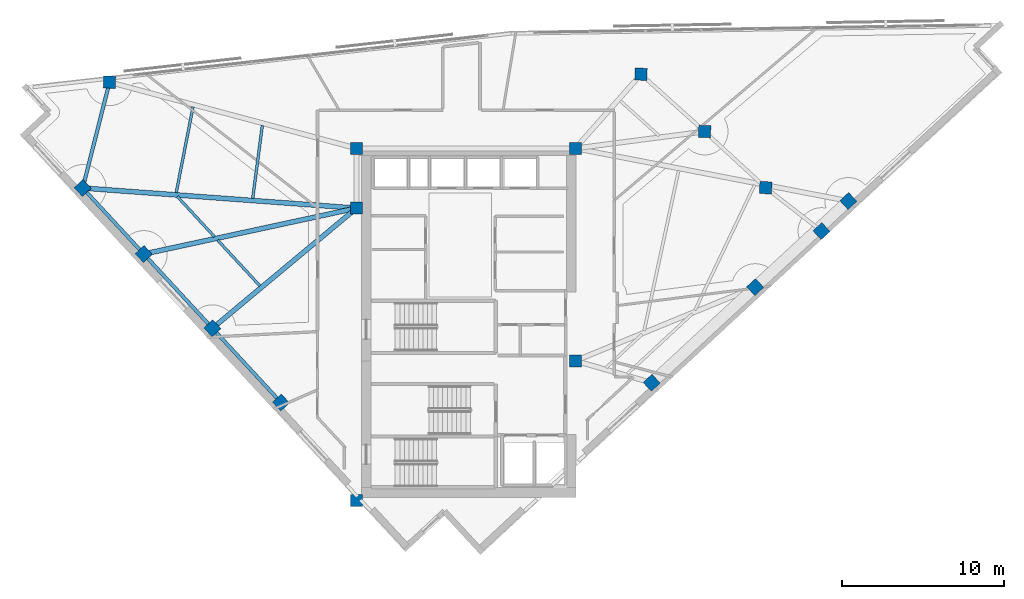
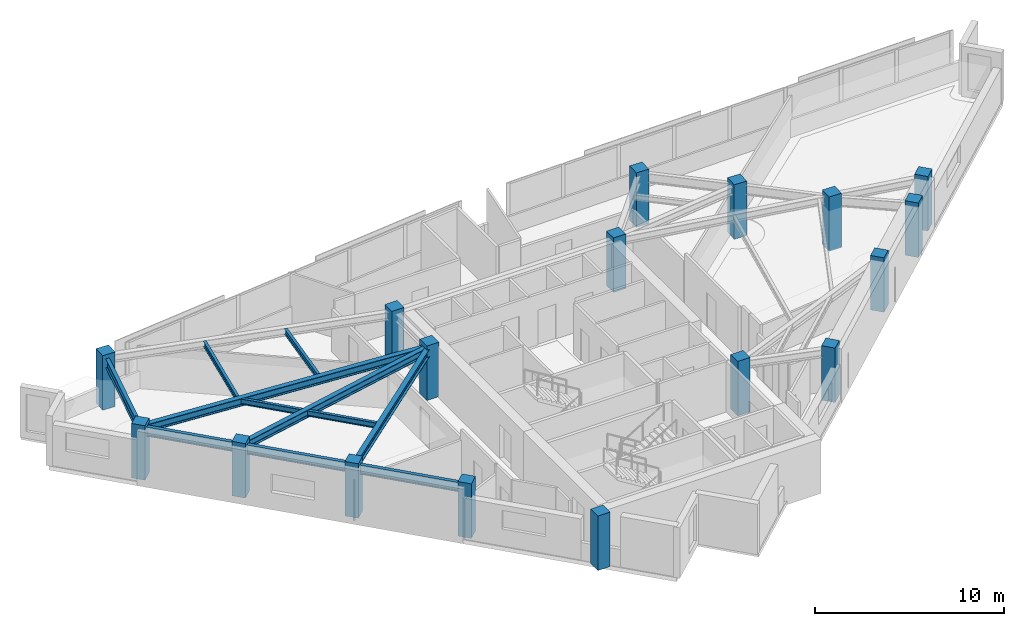
# One storey, part 1 of 13: 17 columns, 11 beams.
"""IFC4 building model written with IfcOpenShell, lengths in metres."""

import ifcopenshell
import ifcopenshell.guid

model = None  # the IFC model being written
_history = None  # IfcOwnerHistory: only IFC2X3 demands one
_inside = {}  # id of a spatial element -> (the spatial element, [elements in it])
_under = {}  # id of a project, library or spatial element -> (it, [spatial elements below it])
_declared = {}  # id of a project -> (the project, [libraries it declares])
_typed = {}  # id of a type object -> (the type object, [elements of that type])
_made_of = {}  # id of a material, layer set ... -> (it, [elements and type objects made of it])


def new_model(schema):
    """Start an empty IFC model of exactly this schema.

    Asked for "IFC4X3", IfcOpenShell would pick the latest addendum, in which some entities
    have other attributes; the version numbers below select the first issue.
    IFC2X3 requires an IfcOwnerHistory on every rooted entity: one is made here for all.
    """
    global model, _history
    if schema == "IFC4X3":
        model = ifcopenshell.file(schema_version=(4, 3, 0, 0))
    else:
        model = ifcopenshell.file(schema=schema)
    _inside.clear()
    _under.clear()
    _declared.clear()
    _typed.clear()
    _made_of.clear()
    _history = None
    if model.schema == "IFC2X3":
        org = make("IfcOrganization", Name="unknown")
        user = make(
            "IfcPersonAndOrganization",
            ThePerson=make("IfcPerson", FamilyName="unknown"),
            TheOrganization=org,
        )
        app = make(
            "IfcApplication",
            ApplicationDeveloper=org,
            Version="unknown",
            ApplicationFullName="unknown",
            ApplicationIdentifier="unknown",
        )
        _history = make(
            "IfcOwnerHistory",
            OwningUser=user,
            OwningApplication=app,
            ChangeAction="ADDED",
            CreationDate=0,
        )
    return model


def make(cls, **values):
    """One entity of the class cls with the attributes given. An attribute that is None is left unset."""
    return model.create_entity(
        cls, **{name: value for name, value in values.items() if value is not None}
    )


def rooted(cls, **values):
    """An entity with a GlobalId (a new one), such as an element, a storey or a relation."""
    return make(cls, GlobalId=ifcopenshell.guid.new(), OwnerHistory=_history, **values)


def si_unit(unit_type, name, prefix=None):
    """IfcSIUnit, for example si_unit("LENGTHUNIT", "METRE", prefix="MILLI")."""
    return make("IfcSIUnit", UnitType=unit_type, Prefix=prefix, Name=name)


def assignment(units):
    """IfcUnitAssignment: the units of a project."""
    return None if units is None else make("IfcUnitAssignment", Units=units)


def point(xyz):
    """IfcCartesianPoint."""
    return None if xyz is None else make("IfcCartesianPoint", Coordinates=xyz)


def direction(xyz):
    """IfcDirection."""
    return None if xyz is None else make("IfcDirection", DirectionRatios=xyz)


def frame(location, z_axis=None, x_axis=None):
    """IfcAxis2Placement3D, a coordinate frame: its origin and axes. An axis left out is left unset."""
    return make(
        "IfcAxis2Placement3D",
        Location=point(location),
        Axis=direction(z_axis),
        RefDirection=direction(x_axis),
    )


def frame_2d(location, x_axis=None):
    """IfcAxis2Placement2D, a coordinate frame in the plane: its origin and x axis."""
    return make(
        "IfcAxis2Placement2D", Location=point(location), RefDirection=direction(x_axis)
    )


def origin():
    """The frame at (0, 0, 0) with its axes left unset."""
    return frame((0.0, 0.0, 0.0))


def origin_2d():
    """The frame at (0, 0) in the plane with its x axis left unset."""
    return frame_2d((0.0, 0.0))


def place(relative_to, where):
    """IfcLocalPlacement: puts the frame where relative to a parent placement (None: the world)."""
    return make(
        "IfcLocalPlacement", PlacementRelTo=relative_to, RelativePlacement=where
    )


def context(
    kind, dimensions, precision=None, world=None, true_north=None, identifier=None
):
    """IfcGeometricRepresentationContext, for example the 3D "Model" context."""
    return make(
        "IfcGeometricRepresentationContext",
        ContextIdentifier=identifier,
        ContextType=kind,
        CoordinateSpaceDimension=dimensions,
        Precision=precision,
        WorldCoordinateSystem=world,
        TrueNorth=true_north,
    )


def subcontext(parent, identifier, kind, view, scale=None):
    """IfcGeometricRepresentationSubContext, for example "Body" below "Model"."""
    return make(
        "IfcGeometricRepresentationSubContext",
        ContextIdentifier=identifier,
        ContextType=kind,
        ParentContext=parent,
        TargetScale=scale,
        TargetView=view,
    )


def project(units=None, contexts=None):
    """IfcProject with its units and contexts."""
    return rooted(
        "IfcProject",
        Name="project",
        RepresentationContexts=contexts,
        UnitsInContext=assignment(units),
    )


def spatial(cls, under=None, at=None, **own):
    """A site, building, storey or space (cls), placed at a placement, below another one or the project."""
    s = rooted(cls, ObjectPlacement=at, **own)
    if under is not None:
        _under.setdefault(under.id(), (under, []))[1].append(s)
    return s


def profile(cls, at=None, kind="AREA", **sizes):
    """A parametric profile (cls). Its sizes go by their IFC names, for example OverallWidth=200.0."""
    return make(cls, ProfileType=kind, Position=at, **sizes)


def rectangle(**sizes):
    """IfcRectangleProfileDef."""
    return profile("IfcRectangleProfileDef", **sizes)


def i_section(**sizes):
    """IfcIShapeProfileDef."""
    return profile("IfcIShapeProfileDef", **sizes)


def extrude(swept, where, along, depth):
    """IfcExtrudedAreaSolid: the profile swept, set in the frame where, extruded along a direction by depth."""
    return make(
        "IfcExtrudedAreaSolid",
        SweptArea=swept,
        Position=where,
        ExtrudedDirection=direction(along),
        Depth=depth,
    )


def shape(context_of_items, identifier, shape_type, items):
    """IfcShapeRepresentation: the items that make up one representation, for example the "Body"."""
    return make(
        "IfcShapeRepresentation",
        ContextOfItems=context_of_items,
        RepresentationIdentifier=identifier,
        RepresentationType=shape_type,
        Items=items,
    )


def material(Name=None, Category=None):
    """IfcMaterial."""
    return make("IfcMaterial", Name=Name, Category=Category)


def material_profile(
    of_material, cross_section, Name=None, Category=None, Priority=None
):
    """IfcMaterialProfile: a cross section and its material."""
    return make(
        "IfcMaterialProfile",
        Name=Name,
        Material=of_material,
        Profile=cross_section,
        Priority=Priority,
        Category=Category,
    )


def profile_set(profiles, Name=None, composite=None):
    """IfcMaterialProfileSet."""
    return make(
        "IfcMaterialProfileSet",
        Name=Name,
        MaterialProfiles=profiles,
        CompositeProfile=composite,
    )


def made_of(thing, what):
    """Note that an element or type object is made of a material, layer set ...; save() writes the relation."""
    if what is not None:
        _made_of.setdefault(what.id(), (what, []))[1].append(thing)
    return thing


def type_object(cls, material=None, **own):
    """A type object (cls), such as IfcWallType, which elements share."""
    return made_of(rooted(cls, **own), material)


def element(
    cls,
    number,
    at=None,
    inside=None,
    cuts=None,
    type_object=None,
    material=None,
    context=None,
    identifier="Body",
    shape_type=None,
    held_by="IfcProductDefinitionShape",
    body=None,
    shapes=None,
    **own,
):
    """One element of the class cls, such as IfcWall. Its Tag is "e" and its number.

    at: its placement. inside: the storey or other place that contains it. cuts: it is an
    opening in that element (IfcRelVoidsElement). A single representation is given by context,
    identifier, shape_type and body (its items); several are given by shapes. held_by: the class
    of the entity that holds the representations. save() writes the other relations.
    """
    e = rooted(cls, Tag="e%d" % number, ObjectPlacement=at, **own)
    if body is not None:
        shapes = [shape(context, identifier, shape_type, body)]
    if shapes is not None:
        e.Representation = make(held_by, Representations=shapes)
    if inside is not None:
        _inside.setdefault(inside.id(), (inside, []))[1].append(e)
    if cuts is not None:
        rooted(
            "IfcRelVoidsElement", RelatingBuildingElement=cuts, RelatedOpeningElement=e
        )
    if type_object is not None:
        _typed.setdefault(type_object.id(), (type_object, []))[1].append(e)
    return made_of(e, material)


def aggregate(whole, parts):
    """IfcRelAggregates: a whole, such as a stair, and the parts it consists of."""
    return rooted("IfcRelAggregates", RelatingObject=whole, RelatedObjects=parts)


def save(model, path):
    """Write the relations noted so far, then the file.

    IfcRelAggregates (storeys below a building ...), IfcRelContainedInSpatialStructure (elements
    in a storey), IfcRelDefinesByType, IfcRelAssociatesMaterial and IfcRelDeclares: one each for
    every whole, place, type object, material and project.
    """
    for whole, parts in _under.values():
        aggregate(whole, parts)
    for where, things in _inside.values():
        rooted(
            "IfcRelContainedInSpatialStructure",
            RelatedElements=things,
            RelatingStructure=where,
        )
    for kind, things in _typed.values():
        rooted("IfcRelDefinesByType", RelatedObjects=things, RelatingType=kind)
    for what, things in _made_of.values():
        rooted("IfcRelAssociatesMaterial", RelatedObjects=things, RelatingMaterial=what)
    for by, libraries in _declared.values():
        rooted("IfcRelDeclares", RelatingContext=by, RelatedDefinitions=libraries)
    model.write(path)


model = new_model("IFC4")

# Units and contexts
model_context = context("Model", 3, precision=1e-05, world=origin(), true_north=direction((0.0, 1.0)))
body_context = subcontext(model_context, "Body", "Model", "MODEL_VIEW")
ifc_project = project(units=[si_unit("LENGTHUNIT", "METRE"), si_unit("AREAUNIT", "SQUARE_METRE"), si_unit("VOLUMEUNIT", "CUBIC_METRE"), si_unit("PLANEANGLEUNIT", "RADIAN"), si_unit("MASSUNIT", "GRAM", prefix="KILO")], contexts=[model_context])

# Site, building, storey
site_placement = place(None, origin())
site = spatial("IfcSite", under=ifc_project, at=site_placement, CompositionType="ELEMENT")
building_placement = place(site_placement, origin())
building = spatial("IfcBuilding", under=site, at=building_placement, Name="Narakoshi Arena Tower", CompositionType="ELEMENT")
storey_placement = place(building_placement, frame((0.0, 0.0, 278.340087890625)))
storey = spatial("IfcBuildingStorey", under=building, at=storey_placement, Name="L76", CompositionType="ELEMENT", Elevation=278.340087890625)

# Columns
ifc_material_1 = material(Name="Concrete C50/60", Category="concrete")
ifc_material_profile_1 = material_profile(ifc_material_1, rectangle(XDim=0.75, YDim=0.75, at=origin_2d()), Name="RC750x750")
ifc_profile_set_1 = profile_set([ifc_material_profile_1], Name="Concrete C50/60")
column_type = type_object("IfcColumnType", Name="COL-RC750", PredefinedType="COLUMN", material=ifc_profile_set_1)
for number, where, z_axis, x_axis, name in (
    (1, (72.0, 34.699951171875, 0.0), (0.0, 0.0, 1.0), (1.0, 0.0, 0.0), "L76 Core Structural Column CC1"),
    (2, (85.550048828125, 43.35009765625, 0.0), (0.0, 0.0, 1.0), (1.0, 0.0, 0.0), "L76 Core Structural Column CC3"),
    (3, (72.0, 52.800048828125, 0.0), (0.0, 0.0, 1.0), (1.0, 0.0, 0.0), "L76 Core Structural Column CC4"),
    (4, (72.0, 56.5, 0.0), (0.0, 0.0, 1.0), (1.0, 0.0, 0.0), "L76 Core Structural Column CC5"),
    (5, (85.550048828125, 56.5, 0.0), (0.0, 0.0, 1.0), (1.0, 0.0, 0.0), "L76 Core Structural Column CC6"),
    (6, (90.2734375, 41.992919921875, 0.0), (0.0, 0.0, 1.0), (0.734322509436, 0.678800745533, 0.0), "L76 Tower Perimeter Column TC01"),
    (7, (96.6787109375, 47.913818359375, 0.0), (0.0, 0.0, 1.0), (0.734322509436, 0.678800745533, 0.0), "L76 Tower Perimeter Column TC02"),
    (8, (102.443359375, 53.242431640625, 0.0), (0.0, 0.0, 1.0), (0.734322509436, 0.678800745533, 0.0), "L76 Tower Perimeter Column TC03"),
    (9, (100.78173828125, 51.379638671875, 0.0), (0.0, 0.0, 1.0), (0.734322509436, 0.678800745533, 0.0), "L76 Tower Perimeter Column TC04"),
    (10, (97.3291015625, 54.0654296875, 0.0), (0.0, 0.0, 1.0), (0.039259815759, 0.999229036241, 0.0), "L76 Tower Perimeter Column TC05"),
    (11, (93.55029296875, 57.543701171875, 0.0), (0.0, 0.0, 1.0), (0.039259815759, 0.999229036241, 0.0), "L76 Tower Perimeter Column TC06"),
    (12, (89.611328125, 61.09033203125, 0.0), (0.0, 0.0, 1.0), (0.039259815759, 0.999229036241, 0.0), "L76 Tower Perimeter Column TC07"),
    (13, (56.717041015625, 60.59814453125, 0.0), (0.0, 0.0, 1.0), (0.039259815759, 0.999229036241, 0.0), "L76 Tower Perimeter Column TC10"),
    (14, (55.05810546875, 54.04638671875, 0.0), (0.0, 0.0, 1.0), (-0.678800745533, 0.734322509436, 0.0), "L76 Tower Perimeter Column TC13"),
    (15, (58.8349609375, 49.960693359375, 0.0), (0.0, 0.0, 1.0), (-0.678800745533, 0.734322509436, 0.0), "L76 Tower Perimeter Column TC14"),
    (16, (63.083984375, 45.3642578125, 0.0), (0.0, 0.0, 1.0), (-0.678800745533, 0.734322509436, 0.0), "L76 Tower Perimeter Column TC15"),
    (17, (67.332763671875, 40.767578125, 0.0), (0.0, 0.0, 1.0), (-0.678800745533, 0.734322509436, 0.0), "L76 Tower Perimeter Column TC16"),
):
    element("IfcColumn", number, at=place(storey_placement, frame(where, z_axis=z_axis, x_axis=x_axis)), inside=storey, type_object=column_type, Name=name, PredefinedType="COLUMN", context=body_context, shape_type="SweptSolid", body=[
        extrude(rectangle(XDim=0.75, YDim=0.75, at=origin_2d()), origin(), (0.0, 0.0, 1.0), 3.52001953125),
    ])

# Beams
ifc_material_2 = material(Name="Structural steel S355J2", Category="steel")
ifc_material_profile_2 = material_profile(ifc_material_2, i_section(OverallWidth=0.219970703125, OverallDepth=0.60009765625, WebThickness=0.011962890625, FlangeThickness=0.01904296875, FilletRadius=0.02392578125, at=origin_2d()), Name="IPE600")
ifc_profile_set_2 = profile_set([ifc_material_profile_2], Name="Structural steel S355J2")
beam_type_1 = type_object("IfcBeamType", Name="BM-EDGE-600", PredefinedType="BEAM", material=ifc_profile_set_2)
beam_1_placement = place(storey_placement, frame((56.717041015625, 60.59814453125, 2.9599609375), z_axis=(-0.245458392699, -0.969407126781, 0.0), x_axis=(0.969407126781, -0.245458392699, 0.0)))
element("IfcBeam", 18, at=beam_1_placement, inside=storey, type_object=beam_type_1, Name="L76 Perimeter Edge Girder 08", PredefinedType="BEAM", context=body_context, shape_type="SweptSolid", body=[
    extrude(i_section(OverallWidth=0.219970703125, OverallDepth=0.60009765625, WebThickness=0.011962890625, FlangeThickness=0.01904296875, FilletRadius=0.02392578125, at=origin_2d()), origin(), (0.0, 0.0, 1.0), 6.758544921875),
])
beam_2_placement = place(storey_placement, frame((55.05810546875, 54.04638671875, 2.9599609375), z_axis=(0.678808438166, -0.734315398365, 0.0), x_axis=(0.734315398365, 0.678808438166, 0.0)))
element("IfcBeam", 19, at=beam_2_placement, inside=storey, type_object=beam_type_1, Name="L76 Perimeter Edge Girder 09", PredefinedType="BEAM", context=body_context, shape_type="SweptSolid", body=[
    extrude(i_section(OverallWidth=0.219970703125, OverallDepth=0.60009765625, WebThickness=0.011962890625, FlangeThickness=0.01904296875, FilletRadius=0.02392578125, at=origin_2d()), origin(), (0.0, 0.0, 1.0), 5.56396484375),
])
for number, where, z_axis, x_axis, name in (
    (20, (58.8349609375, 49.960693359375, 2.9599609375), (0.678811265787, -0.734312784473, 0.0), (0.734312784473, 0.678811265787, 0.0), "L76 Perimeter Edge Girder 10"),
    (21, (63.083984375, 45.3642578125, 2.9599609375), (0.678770792221, -0.734350196859, 0.0), (0.734350196859, 0.678770792221, 0.0), "L76 Perimeter Edge Girder 11"),
):
    element("IfcBeam", number, at=place(storey_placement, frame(where, z_axis=z_axis, x_axis=x_axis)), inside=storey, type_object=beam_type_1, Name=name, PredefinedType="BEAM", context=body_context, shape_type="SweptSolid", body=[
        extrude(i_section(OverallWidth=0.219970703125, OverallDepth=0.60009765625, WebThickness=0.011962890625, FlangeThickness=0.01904296875, FilletRadius=0.02392578125, at=origin_2d()), origin(), (0.0, 0.0, 1.0), 6.259521484375),
    ])
ifc_material_profile_3 = material_profile(ifc_material_2, i_section(OverallWidth=0.300048828125, OverallDepth=0.5, WebThickness=0.014404296875, FlangeThickness=0.028076171875, FilletRadius=0.027099609375, at=origin_2d()), Name="HE500B")
ifc_profile_set_3 = profile_set([ifc_material_profile_3], Name="Structural steel S355J2")
beam_type_2 = type_object("IfcBeamType", Name="BM-PRI-500", PredefinedType="BEAM", material=ifc_profile_set_3)
beam_3_placement = place(storey_placement, frame((72.0, 52.800048828125, 3.010009765625), z_axis=(-0.997304997013, 0.073367178859, 0.0), x_axis=(-0.073367178859, -0.997304997013, 0.0)))
element("IfcBeam", 22, at=beam_3_placement, inside=storey, type_object=beam_type_2, Name="L76 Radial Primary Floor Girder 09", PredefinedType="BEAM", context=body_context, shape_type="SweptSolid", body=[
    extrude(i_section(OverallWidth=0.300048828125, OverallDepth=0.5, WebThickness=0.014404296875, FlangeThickness=0.028076171875, FilletRadius=0.027099609375, at=origin_2d()), origin(), (0.0, 0.0, 1.0), 16.98779296875),
])
beam_4_placement = place(storey_placement, frame((72.0, 52.800048828125, 3.010009765625), z_axis=(-0.977523534755, -0.210826324256, 0.0), x_axis=(0.210826324256, -0.977523534755, 0.0)))
element("IfcBeam", 23, at=beam_4_placement, inside=storey, type_object=beam_type_2, Name="L76 Radial Primary Floor Girder 10", PredefinedType="BEAM", context=body_context, shape_type="SweptSolid", body=[
    extrude(i_section(OverallWidth=0.300048828125, OverallDepth=0.5, WebThickness=0.014404296875, FlangeThickness=0.028076171875, FilletRadius=0.027099609375, at=origin_2d()), origin(), (0.0, 0.0, 1.0), 13.4677734375),
])
beam_5_placement = place(storey_placement, frame((72.0, 52.800048828125, 3.010009765625), z_axis=(-0.767976460513, -0.640478068397, 0.0), x_axis=(0.640478068397, -0.767976460513, 0.0)))
element("IfcBeam", 24, at=beam_5_placement, inside=storey, type_object=beam_type_2, Name="L76 Radial Primary Floor Girder 11", PredefinedType="BEAM", context=body_context, shape_type="SweptSolid", body=[
    extrude(i_section(OverallWidth=0.300048828125, OverallDepth=0.5, WebThickness=0.014404296875, FlangeThickness=0.028076171875, FilletRadius=0.027099609375, at=origin_2d()), origin(), (0.0, 0.0, 1.0), 11.60986328125),
])
ifc_material_profile_4 = material_profile(ifc_material_2, i_section(OverallWidth=0.169921875, OverallDepth=0.360107421875, WebThickness=0.008056640625, FlangeThickness=0.0126953125, FilletRadius=0.01806640625, at=origin_2d()), Name="IPE360")
ifc_profile_set_4 = profile_set([ifc_material_profile_4], Name="Structural steel S355J2")
beam_type_3 = type_object("IfcBeamType", Name="BM-SEC-360", PredefinedType="JOIST", material=ifc_profile_set_4)
beam_6_placement = place(storey_placement, frame((66.1748046875, 57.92333984375, 3.079833984375), z_axis=(-0.130622278615, -0.991432206623, 0.0), x_axis=(0.991432206623, -0.130622278615, 0.0)))
element("IfcBeam", 25, at=beam_6_placement, inside=storey, type_object=beam_type_3, Name="L76 Composite Secondary Floor Joist 06", PredefinedType="JOIST", context=body_context, shape_type="SweptSolid", body=[
    extrude(i_section(OverallWidth=0.169921875, OverallDepth=0.360107421875, WebThickness=0.008056640625, FlangeThickness=0.0126953125, FilletRadius=0.01806640625, at=origin_2d()), origin(), (0.0, 0.0, 1.0), 4.554931640625),
])
beam_7_placement = place(storey_placement, frame((61.88720703125, 59.072265625, 3.079833984375), z_axis=(-0.192432326114, -0.98131024649, 0.0), x_axis=(0.98131024649, -0.192432326114, 0.0)))
element("IfcBeam", 26, at=beam_7_placement, inside=storey, type_object=beam_type_3, Name="L76 Composite Secondary Floor Joist 07", PredefinedType="JOIST", context=body_context, shape_type="SweptSolid", body=[
    extrude(i_section(OverallWidth=0.169921875, OverallDepth=0.360107421875, WebThickness=0.008056640625, FlangeThickness=0.0126953125, FilletRadius=0.01806640625, at=origin_2d()), origin(), (0.0, 0.0, 1.0), 5.418701171875),
])
beam_8_placement = place(storey_placement, frame((60.91015625, 53.5234375, 3.079833984375), z_axis=(0.678789604895, -0.734332807579, 0.0), x_axis=(0.734332807579, 0.678789604895, 0.0)))
element("IfcBeam", 27, at=beam_8_placement, inside=storey, type_object=beam_type_3, Name="L76 Composite Secondary Floor Joist 08", PredefinedType="JOIST", context=body_context, shape_type="SweptSolid", body=[
    extrude(i_section(OverallWidth=0.169921875, OverallDepth=0.360107421875, WebThickness=0.008056640625, FlangeThickness=0.0126953125, FilletRadius=0.01806640625, at=origin_2d()), origin(), (0.0, 0.0, 1.0), 3.402099609375),
])
beam_9_placement = place(storey_placement, frame((63.402587890625, 50.826904296875, 3.079833984375), z_axis=(0.67880513783, -0.734318449214, 0.0), x_axis=(0.734318449214, 0.67880513783, 0.0)))
element("IfcBeam", 28, at=beam_9_placement, inside=storey, type_object=beam_type_3, Name="L76 Composite Secondary Floor Joist 09", PredefinedType="JOIST", context=body_context, shape_type="SweptSolid", body=[
    extrude(i_section(OverallWidth=0.169921875, OverallDepth=0.360107421875, WebThickness=0.008056640625, FlangeThickness=0.0126953125, FilletRadius=0.01806640625, at=origin_2d()), origin(), (0.0, 0.0, 1.0), 3.861328125),
])

save(model, "model.ifc")
